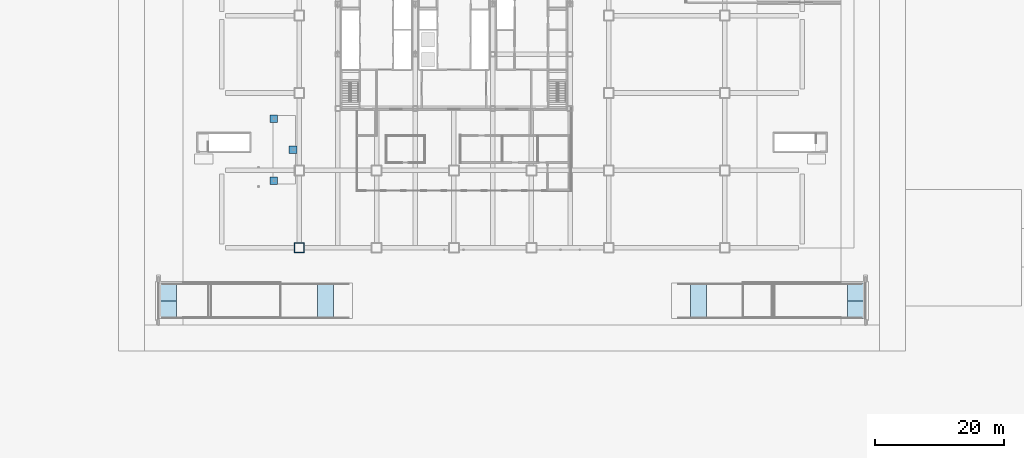
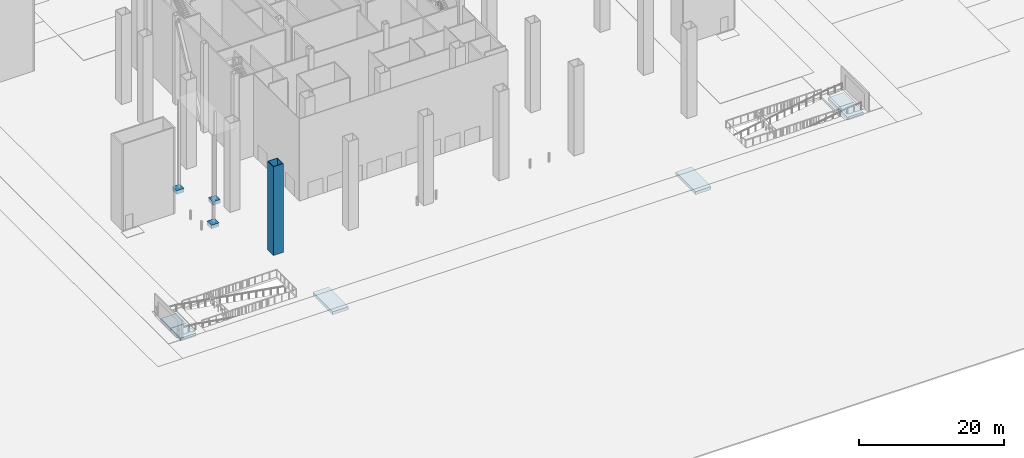
# One storey, part 1 of 22: 9 footings, 1 column.
"""IFC4 building model written with IfcOpenShell, lengths in metres."""

from ifc_helpers import new_model, si_unit, direction, frame, origin, origin_with_axes, origin_2d, place, context, subcontext, project, spatial, polyline, hollow_rectangle, outline, extrude, material, layer, layer_set, material_profile, profile_set, type_object, element, save


model = new_model("IFC4")

# Units and contexts
model_context = context("Model", 3, precision=1e-05, world=origin(), true_north=direction((0.0, 1.0)))
body_context = subcontext(model_context, "Body", "Model", "MODEL_VIEW")
ifc_project = project(units=[si_unit("LENGTHUNIT", "METRE"), si_unit("AREAUNIT", "SQUARE_METRE"), si_unit("VOLUMEUNIT", "CUBIC_METRE"), si_unit("PLANEANGLEUNIT", "RADIAN"), si_unit("MASSUNIT", "GRAM", prefix="KILO")], contexts=[model_context])

# Site, building, storey
site_placement = place(None, origin())
site = spatial("IfcSite", under=ifc_project, at=site_placement, CompositionType="ELEMENT")
building_placement = place(site_placement, origin())
building = spatial("IfcBuilding", under=site, at=building_placement, Name="Sorahane Residences", CompositionType="ELEMENT")
storey_placement = place(building_placement, origin())
storey = spatial("IfcBuildingStorey", under=building, at=storey_placement, Name="L00", CompositionType="ELEMENT", Elevation=0.0)

# Footings
ifc_material_1 = material(Name="Concrete C35", Category="concrete")
ifc_layer_1 = layer(ifc_material_1, 0.60009765625)
ifc_layer_set_1 = layer_set([ifc_layer_1], Name="Canopy pad footing 600 mm Concrete C35")
footing_type_1 = type_object("IfcFootingType", Name="Canopy pad footing 600 mm Concrete C35", PredefinedType="PAD_FOOTING", material=ifc_layer_set_1)
footing_1_placement = place(storey_placement, frame((0.0, 0.0, -0.60009765625)))
element("IfcFooting", 1, at=footing_1_placement, inside=storey, type_object=footing_type_1, Name="Canopy pad footing", PredefinedType="PAD_FOOTING", context=body_context, shape_type="SweptSolid", body=[
    extrude(outline(polyline([(-4.550048828125, 9.800048828125), (-3.35009765625, 9.800048828125), (-3.35009765625, 11.0), (-4.550048828125, 11.0), (-4.550048828125, 9.800048828125)])), origin(), (0.0, 0.0, 1.0), 0.60009765625),
])
footing_2_placement = place(storey_placement, frame((0.0, 0.0, -0.60009765625)))
element("IfcFooting", 2, at=footing_2_placement, inside=storey, type_object=footing_type_1, Name="Canopy pad footing", PredefinedType="PAD_FOOTING", context=body_context, shape_type="SweptSolid", body=[
    extrude(outline(polyline([(-4.550048828125, 19.39990234375), (-3.35009765625, 19.39990234375), (-3.35009765625, 20.60009765625), (-4.550048828125, 20.60009765625), (-4.550048828125, 19.39990234375)])), origin(), (0.0, 0.0, 1.0), 0.60009765625),
])
footing_3_placement = place(storey_placement, frame((0.0, 0.0, -0.60009765625)))
element("IfcFooting", 3, at=footing_3_placement, inside=storey, type_object=footing_type_1, Name="Canopy pad footing", PredefinedType="PAD_FOOTING", context=body_context, shape_type="SweptSolid", body=[
    extrude(outline(polyline([(-1.550048828125, 14.60009765625), (-0.35009765625, 14.60009765625), (-0.35009765625, 15.800048828125), (-1.550048828125, 15.800048828125), (-1.550048828125, 14.60009765625)])), origin(), (0.0, 0.0, 1.0), 0.60009765625),
])
ifc_material_2 = material(Name="Concrete C35", Category="concrete")
ifc_layer_2 = layer(ifc_material_2, 0.5)
ifc_layer_set_2 = layer_set([ifc_layer_2], Name="Ramp bearing strip 500 mm Concrete C35")
footing_type_2 = type_object("IfcFootingType", Name="Ramp bearing strip 500 mm Concrete C35", PredefinedType="STRIP_FOOTING", material=ifc_layer_set_2)
footing_4_placement = place(storey_placement, frame((0.0, 0.0, -1.0)))
element("IfcFooting", 4, at=footing_4_placement, inside=storey, type_object=footing_type_2, Name="Ramp bearing strip", PredefinedType="STRIP_FOOTING", context=body_context, shape_type="SweptSolid", body=[
    extrude(outline(polyline([(85.0, -11.0), (87.5, -11.0), (87.5, -8.25), (85.0, -8.25), (85.0, -11.0)])), origin(), (0.0, 0.0, 1.0), 0.5),
])
footing_5_placement = place(storey_placement, frame((0.0, 0.0, -1.0)))
element("IfcFooting", 5, at=footing_5_placement, inside=storey, type_object=footing_type_2, Name="Ramp bearing strip", PredefinedType="STRIP_FOOTING", context=body_context, shape_type="SweptSolid", body=[
    extrude(outline(polyline([(85.0, -8.25), (87.5, -8.25), (87.5, -5.5), (85.0, -5.5), (85.0, -8.25)])), origin(), (0.0, 0.0, 1.0), 0.5),
])
footing_6_placement = place(storey_placement, frame((0.0, 0.0, -5.050048828125)))
element("IfcFooting", 6, at=footing_6_placement, inside=storey, type_object=footing_type_2, Name="Ramp bearing strip", PredefinedType="STRIP_FOOTING", context=body_context, shape_type="SweptSolid", body=[
    extrude(outline(polyline([(60.699951171875, -11.0), (63.199951171875, -11.0), (63.199951171875, -5.5), (60.699951171875, -5.5), (60.699951171875, -11.0)])), origin(), (0.0, 0.0, 1.0), 0.5),
])
footing_7_placement = place(storey_placement, frame((0.0, 0.0, -1.0)))
element("IfcFooting", 7, at=footing_7_placement, inside=storey, type_object=footing_type_2, Name="Ramp bearing strip", PredefinedType="STRIP_FOOTING", context=body_context, shape_type="SweptSolid", body=[
    extrude(outline(polyline([(-21.5, -11.0), (-19.0, -11.0), (-19.0, -8.25), (-21.5, -8.25), (-21.5, -11.0)])), origin(), (0.0, 0.0, 1.0), 0.5),
])
footing_8_placement = place(storey_placement, frame((0.0, 0.0, -1.0)))
element("IfcFooting", 8, at=footing_8_placement, inside=storey, type_object=footing_type_2, Name="Ramp bearing strip", PredefinedType="STRIP_FOOTING", context=body_context, shape_type="SweptSolid", body=[
    extrude(outline(polyline([(-21.5, -8.25), (-19.0, -8.25), (-19.0, -5.5), (-21.5, -5.5), (-21.5, -8.25)])), origin(), (0.0, 0.0, 1.0), 0.5),
])
footing_9_placement = place(storey_placement, frame((0.0, 0.0, -5.050048828125)))
element("IfcFooting", 9, at=footing_9_placement, inside=storey, type_object=footing_type_2, Name="Ramp bearing strip", PredefinedType="STRIP_FOOTING", context=body_context, shape_type="SweptSolid", body=[
    extrude(outline(polyline([(2.800048828125, -11.0), (5.300048828125, -11.0), (5.300048828125, -5.5), (2.800048828125, -5.5), (2.800048828125, -11.0)])), origin(), (0.0, 0.0, 1.0), 0.5),
])

# Column
ifc_material_3 = material(Name="Steel Q420GJ", Category="steel")
ifc_material_profile = material_profile(ifc_material_3, hollow_rectangle(XDim=1.60009765625, YDim=1.60009765625, WallThickness=0.070068359375, at=origin_2d()), Name="BOX 1600x1600x70")
ifc_profile_set = profile_set([ifc_material_profile], Name="Steel Q420GJ")
column_type = type_object("IfcColumnType", Name="Steel box column BOX 1600x1600x70 Q420GJ", PredefinedType="COLUMN", material=ifc_profile_set)
column_placement = place(storey_placement, origin_with_axes())
element("IfcColumn", 10, at=column_placement, inside=storey, type_object=column_type, Name="Column L00 0/0", PredefinedType="COLUMN", context=body_context, shape_type="SweptSolid", body=[
    extrude(hollow_rectangle(XDim=1.60009765625, YDim=1.60009765625, WallThickness=0.070068359375, at=origin_2d()), origin(), (0.0, 0.0, 1.0), 15.0),
])

save(model, "model.ifc")
